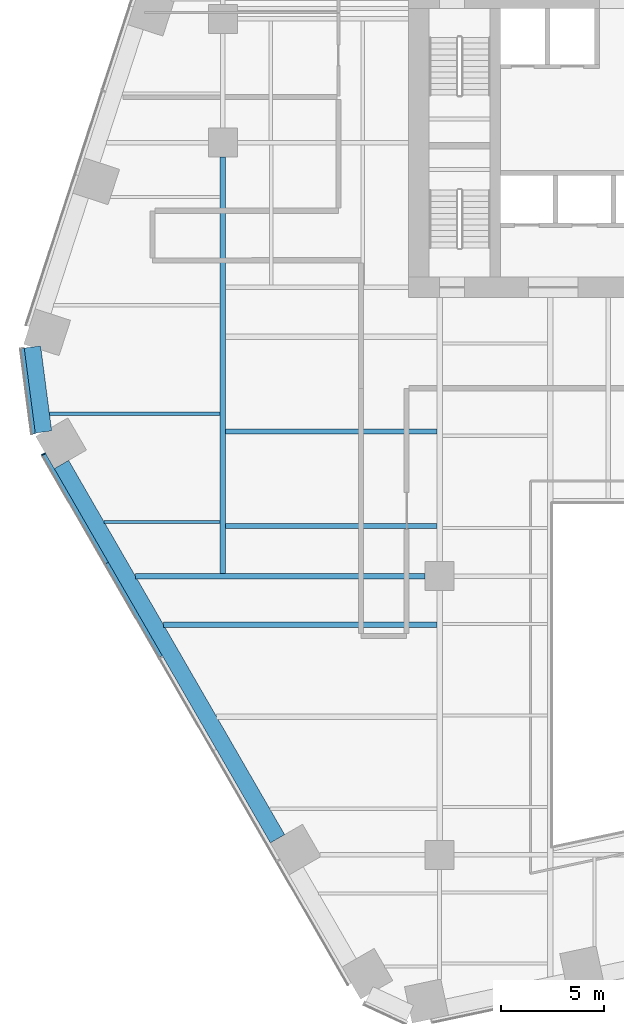
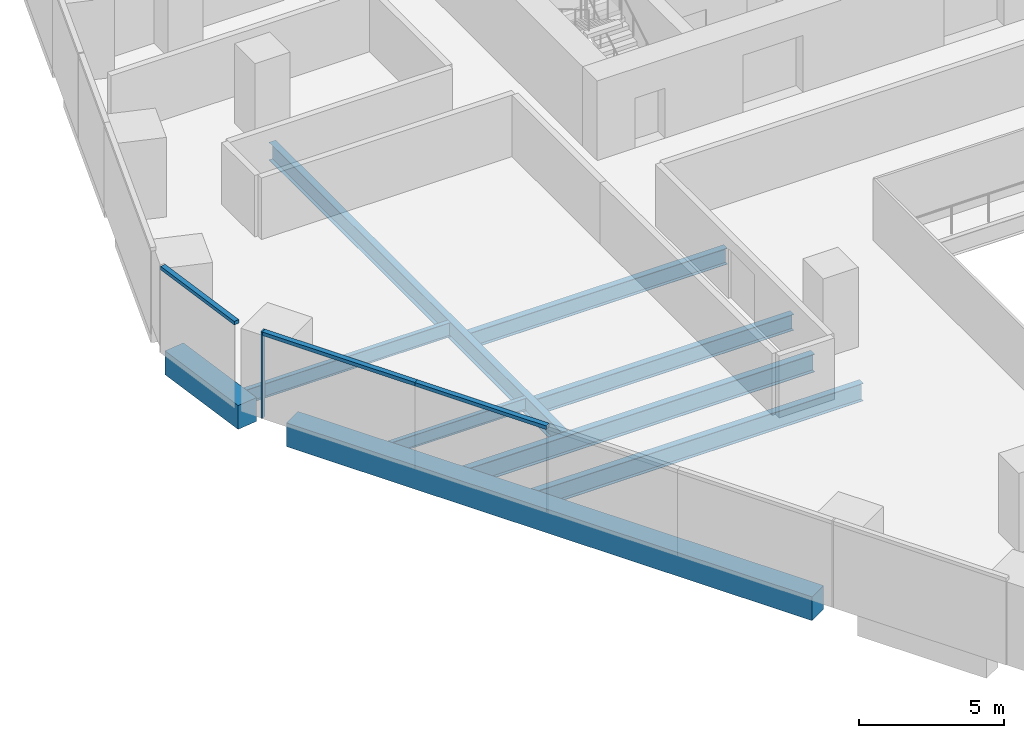
# One storey, part 3 of 20: 9 beams, 4 members, 2 elements without a shape of their own.
"""IFC4 building model written with IfcOpenShell, lengths in metres."""

from ifc_helpers import new_model, si_unit, direction, frame, origin, origin_2d, place, context, subcontext, project, spatial, rectangle, i_section, extrude, material, layer, layer_set, material_profile, profile_set, type_object, element, aggregate, save


model = new_model("IFC4")

# Units and contexts
model_context = context("Model", 3, precision=1e-05, world=origin(), true_north=direction((0.0, 1.0)))
body_context = subcontext(model_context, "Body", "Model", "MODEL_VIEW")
ifc_project = project(units=[si_unit("LENGTHUNIT", "METRE"), si_unit("AREAUNIT", "SQUARE_METRE"), si_unit("VOLUMEUNIT", "CUBIC_METRE"), si_unit("PLANEANGLEUNIT", "RADIAN"), si_unit("MASSUNIT", "GRAM", prefix="KILO")], contexts=[model_context])

# Site, building, storey
site_placement = place(None, origin())
site = spatial("IfcSite", under=ifc_project, at=site_placement, CompositionType="ELEMENT")
building_placement = place(site_placement, origin())
building = spatial("IfcBuilding", under=site, at=building_placement, Name="Isthmus Gate Tower", CompositionType="ELEMENT")
storey_placement = place(building_placement, frame((0.0, 0.0, 72.5)))
storey = spatial("IfcBuildingStorey", under=building, at=storey_placement, Name="L16", CompositionType="ELEMENT", Elevation=72.5)

# Curtain wall, member
ifc_material_1 = material(Name="Aluminium, pale champagne anodised", Category="aluminium")
ifc_layer = layer(ifc_material_1, 0.199951171875)
ifc_layer_set = layer_set([ifc_layer], Name="CW-1 UNITISED CURTAIN WALL 200 DEEP")
curtain_wall_type = type_object("IfcCurtainWallType", Name="CW-1 UNITISED CURTAIN WALL 200 DEEP", PredefinedType="NOTDEFINED", material=ifc_layer_set)
curtain_wall_1_placement = place(storey_placement, origin())
curtain_wall_1 = element("IfcCurtainWall", 1, at=curtain_wall_1_placement, inside=storey, type_object=curtain_wall_type, Name="CW-1 SW L16", PredefinedType="NOTDEFINED")
ifc_material_2 = material(Name="Aluminium, pale champagne anodised", Category="aluminium")
ifc_material_profile_1 = material_profile(ifc_material_2, rectangle(XDim=0.06005859375, YDim=0.199951171875, at=origin_2d()), Name="60x200")
ifc_profile_set_1 = profile_set([ifc_material_profile_1], Name="Aluminium, pale champagne anodised")
member_type_1 = type_object("IfcMemberType", Name="CW-1 MULLION 60 X 200", PredefinedType="MULLION", material=ifc_profile_set_1)
member_1_placement = place(storey_placement, frame((-32.685302734375, -7.58740234375, 0.0), z_axis=(0.0, 0.0, 1.0), x_axis=(0.5, -0.866025403784, 0.0)))
member_1 = element("IfcMember", 2, at=member_1_placement, type_object=member_type_1, Name="CW-1 mullion", PredefinedType="MULLION", context=body_context, shape_type="SweptSolid", body=[
    extrude(rectangle(XDim=0.06005859375, YDim=0.199951171875, at=origin_2d()), origin(), (0.0, 0.0, 1.0), 3.64990234375),
])

curtain_wall_2_placement = place(storey_placement, origin())
curtain_wall_2 = element("IfcCurtainWall", 3, at=curtain_wall_2_placement, inside=storey, type_object=curtain_wall_type, Name="CW-1 NW-SW L16", PredefinedType="NOTDEFINED")
ifc_material_3 = material(Name="Aluminium, pale champagne anodised", Category="aluminium")
ifc_material_profile_2 = material_profile(ifc_material_3, rectangle(XDim=0.199951171875, YDim=0.14990234375, at=origin_2d()), Name="200x150")
ifc_profile_set_2 = profile_set([ifc_material_profile_2], Name="Aluminium, pale champagne anodised")
member_type_2 = type_object("IfcMemberType", Name="CW-1 TRANSOM 200 X 150", PredefinedType="USERDEFINED", material=ifc_profile_set_2)
member_2_placement = place(storey_placement, frame((-33.71923828125, -2.474609375, 3.574951171875), z_axis=(0.129206893318, -0.991617657527, 0.0), x_axis=(0.991617657527, 0.129206893318, 0.0)))
member_2 = element("IfcMember", 4, at=member_2_placement, type_object=member_type_2, Name="CW-1 transom", ObjectType="TRANSOM", PredefinedType="USERDEFINED", context=body_context, shape_type="SweptSolid", body=[
    extrude(rectangle(XDim=0.199951171875, YDim=0.14990234375, at=origin_2d()), origin(), (0.0, 0.0, 1.0), 4.181640625),
])
aggregate(curtain_wall_2, [member_2])

# Member
member_3_placement = place(storey_placement, frame((-32.67041015625, -7.61328125, 3.574951171875), z_axis=(0.49999965181, -0.866025604812, 0.0), x_axis=(0.866025604812, 0.49999965181, 0.0)))
member_3 = element("IfcMember", 5, at=member_3_placement, type_object=member_type_2, Name="CW-1 transom", ObjectType="TRANSOM", PredefinedType="USERDEFINED", context=body_context, shape_type="SweptSolid", body=[
    extrude(rectangle(XDim=0.199951171875, YDim=0.14990234375, at=origin_2d()), origin(), (0.0, 0.0, 1.0), 6.07373046875),
])

member_4_placement = place(storey_placement, frame((-29.633544921875, -12.873291015625, 3.574951171875), z_axis=(0.500017221754, -0.866015460572, 0.0), x_axis=(0.866015460572, 0.500017221754, 0.0)))
member_4 = element("IfcMember", 6, at=member_4_placement, type_object=member_type_2, Name="CW-1 transom", ObjectType="TRANSOM", PredefinedType="USERDEFINED", context=body_context, shape_type="SweptSolid", body=[
    extrude(rectangle(XDim=0.199951171875, YDim=0.14990234375, at=origin_2d()), origin(), (0.0, 0.0, 1.0), 5.233642578125),
])

aggregate(curtain_wall_1, [member_1, member_3, member_4])

# Beams
ifc_material_4 = material(Name="Concrete f'c 70 MPa", Category="concrete")
ifc_material_profile_3 = material_profile(ifc_material_4, rectangle(XDim=0.800048828125, YDim=1.0, at=origin_2d()), Name="RC 800X1000")
ifc_profile_set_3 = profile_set([ifc_material_profile_3], Name="Concrete f'c 70 MPa")
beam_type_1 = type_object("IfcBeamType", Name="RC SPANDREL 800 X 1000", PredefinedType="SPANDREL", material=ifc_profile_set_3)
beam_1_placement = place(storey_placement, frame((-21.35009765625, -26.220458984375, -0.5), z_axis=(-0.500004778811, 0.866022644719, 0.0), x_axis=(-0.866022644719, -0.500004778811, 0.0)))
element("IfcBeam", 7, at=beam_1_placement, inside=storey, type_object=beam_type_1, Name="str-spandrel-L16-16", PredefinedType="SPANDREL", context=body_context, shape_type="SweptSolid", body=[
    extrude(rectangle(XDim=0.800048828125, YDim=1.0, at=origin_2d()), origin(), (0.0, 0.0, 1.0), 20.934326171875),
])
beam_2_placement = place(storey_placement, frame((-32.6884765625, -6.515380859375, -0.5), z_axis=(-0.129170777359, 0.991622362735, 0.0), x_axis=(-0.991622362735, -0.129170777359, 0.0)))
element("IfcBeam", 8, at=beam_2_placement, inside=storey, type_object=beam_type_1, Name="str-spandrel-L16-17", PredefinedType="SPANDREL", context=body_context, shape_type="SweptSolid", body=[
    extrude(rectangle(XDim=0.800048828125, YDim=1.0, at=origin_2d()), origin(), (0.0, 0.0, 1.0), 4.15234375),
])
ifc_material_5 = material(Name="Structural steel ASTM A992 Gr 50", Category="steel")
ifc_material_profile_4 = material_profile(ifc_material_5, i_section(OverallWidth=0.1650390625, OverallDepth=0.52392578125, WebThickness=0.009521484375, FlangeThickness=0.010986328125, at=origin_2d()), Name="W21X44")
ifc_profile_set_4 = profile_set([ifc_material_profile_4], Name="Structural steel ASTM A992 Gr 50")
beam_type_2 = type_object("IfcBeamType", Name="STEEL FLOOR BEAM W21X44", PredefinedType="JOIST", material=ifc_profile_set_4)
beam_3_placement = place(storey_placement, frame((-29.748046875, -10.875, -0.411865234375), z_axis=(1.0, 0.0, 0.0), x_axis=(0.0, 1.0, 0.0)))
element("IfcBeam", 9, at=beam_3_placement, inside=storey, type_object=beam_type_2, Name="str-beam-L16-00-00", PredefinedType="JOIST", context=body_context, shape_type="SweptSolid", body=[
    extrude(i_section(OverallWidth=0.1650390625, OverallDepth=0.52392578125, WebThickness=0.009521484375, FlangeThickness=0.010986328125, at=origin_2d()), origin(), (0.0, 0.0, 1.0), 5.61474609375),
])
ifc_material_6 = material(Name="Structural steel ASTM A992 Gr 50", Category="steel")
ifc_material_profile_5 = material_profile(ifc_material_6, i_section(OverallWidth=0.177734375, OverallDepth=0.60009765625, WebThickness=0.009521484375, FlangeThickness=0.0126953125, at=origin_2d()), Name="W24X55")
ifc_profile_set_5 = profile_set([ifc_material_profile_5], Name="Structural steel ASTM A992 Gr 50")
beam_type_3 = type_object("IfcBeamType", Name="STEEL FLOOR BEAM W24X55", PredefinedType="JOIST", material=ifc_profile_set_5)
beam_4_placement = place(storey_placement, frame((-32.401123046875, -5.625, -0.449951171875), z_axis=(1.0, 0.0, 0.0), x_axis=(0.0, 1.0, 0.0)))
element("IfcBeam", 10, at=beam_4_placement, inside=storey, type_object=beam_type_3, Name="str-beam-L16-00-01", PredefinedType="JOIST", context=body_context, shape_type="SweptSolid", body=[
    extrude(i_section(OverallWidth=0.177734375, OverallDepth=0.60009765625, WebThickness=0.009521484375, FlangeThickness=0.0126953125, at=origin_2d()), origin(), (0.0, 0.0, 1.0), 8.267822265625),
])
ifc_material_7 = material(Name="Structural steel ASTM A992 Gr 50", Category="steel")
ifc_material_profile_6 = material_profile(ifc_material_7, i_section(OverallWidth=0.25390625, OverallDepth=0.679443359375, WebThickness=0.010986328125, FlangeThickness=0.015869140625, at=origin_2d()), Name="W27X84")
ifc_profile_set_6 = profile_set([ifc_material_profile_6], Name="Structural steel ASTM A992 Gr 50")
beam_type_4 = type_object("IfcBeamType", Name="STEEL FLOOR BEAM W27X84", PredefinedType="JOIST", material=ifc_profile_set_6)
for number, where, z_axis, x_axis, name in (
    (11, (-23.86669921875, -11.07470703125, -0.48974609375), (1.0, 0.0, 0.0), (0.0, 1.0, 0.0), "str-beam-L16-07-00"),
    (12, (-23.86669921875, -6.490478515625, -0.48974609375), (1.0, 0.0, 0.0), (0.0, 1.0, 0.0), "str-beam-L16-07-01"),
):
    element("IfcBeam", number, at=place(storey_placement, frame(where, z_axis=z_axis, x_axis=x_axis)), inside=storey, type_object=beam_type_4, Name=name, PredefinedType="JOIST", context=body_context, shape_type="SweptSolid", body=[
        extrude(i_section(OverallWidth=0.25390625, OverallDepth=0.679443359375, WebThickness=0.010986328125, FlangeThickness=0.015869140625, at=origin_2d()), origin(), (0.0, 0.0, 1.0), 10.23486328125),
    ])
ifc_material_8 = material(Name="Structural steel ASTM A992 Gr 50", Category="steel")
ifc_material_profile_7 = material_profile(ifc_material_8, i_section(OverallWidth=0.263427734375, OverallDepth=0.749267578125, WebThickness=0.0126953125, FlangeThickness=0.015869140625, at=origin_2d()), Name="W30X90")
ifc_profile_set_7 = profile_set([ifc_material_profile_7], Name="Structural steel ASTM A992 Gr 50")
beam_type_5 = type_object("IfcBeamType", Name="STEEL FLOOR BEAM W30X90", PredefinedType="JOIST", material=ifc_profile_set_7)
beam_5_placement = place(storey_placement, frame((-26.869140625, -15.861083984375, -0.524658203125), z_axis=(1.0, 0.0, 0.0), x_axis=(0.0, 1.0, 0.0)))
element("IfcBeam", 13, at=beam_5_placement, inside=storey, type_object=beam_type_5, Name="str-beam-L16-05-02", PredefinedType="JOIST", context=body_context, shape_type="SweptSolid", body=[
    extrude(i_section(OverallWidth=0.263427734375, OverallDepth=0.749267578125, WebThickness=0.0126953125, FlangeThickness=0.015869140625, at=origin_2d()), origin(), (0.0, 0.0, 1.0), 13.2373046875),
])
ifc_material_9 = material(Name="Structural steel ASTM A992 Gr 50", Category="steel")
ifc_material_profile_8 = material_profile(ifc_material_9, i_section(OverallWidth=0.2666015625, OverallDepth=0.7587890625, WebThickness=0.014404296875, FlangeThickness=0.01904296875, at=origin_2d()), Name="W30X108")
ifc_profile_set_8 = profile_set([ifc_material_profile_8], Name="Structural steel ASTM A992 Gr 50")
beam_type_6 = type_object("IfcBeamType", Name="STEEL GIRDER W30X108", PredefinedType="BEAM", material=ifc_profile_set_8)
beam_6_placement = place(storey_placement, frame((-28.232421875, -13.5, -0.529296875), z_axis=(1.0, 0.0, 0.0), x_axis=(0.0, 1.0, 0.0)))
element("IfcBeam", 14, at=beam_6_placement, inside=storey, type_object=beam_type_6, Name="str-girder-L16-05", PredefinedType="BEAM", context=body_context, shape_type="SweptSolid", body=[
    extrude(i_section(OverallWidth=0.2666015625, OverallDepth=0.7587890625, WebThickness=0.014404296875, FlangeThickness=0.01904296875, at=origin_2d()), origin(), (0.0, 0.0, 1.0), 14.032470703125),
])
beam_7_placement = place(storey_placement, frame((-24.0, -13.36669921875, -0.529296875), z_axis=(0.0, 1.0, 0.0), x_axis=(-1.0, 0.0, 0.0)))
element("IfcBeam", 15, at=beam_7_placement, inside=storey, type_object=beam_type_6, Name="str-girder-L16-20", PredefinedType="BEAM", context=body_context, shape_type="SweptSolid", body=[
    extrude(i_section(OverallWidth=0.2666015625, OverallDepth=0.7587890625, WebThickness=0.014404296875, FlangeThickness=0.01904296875, at=origin_2d()), origin(), (0.0, 0.0, 1.0), 20.166748046875),
])

save(model, "model.ifc")
